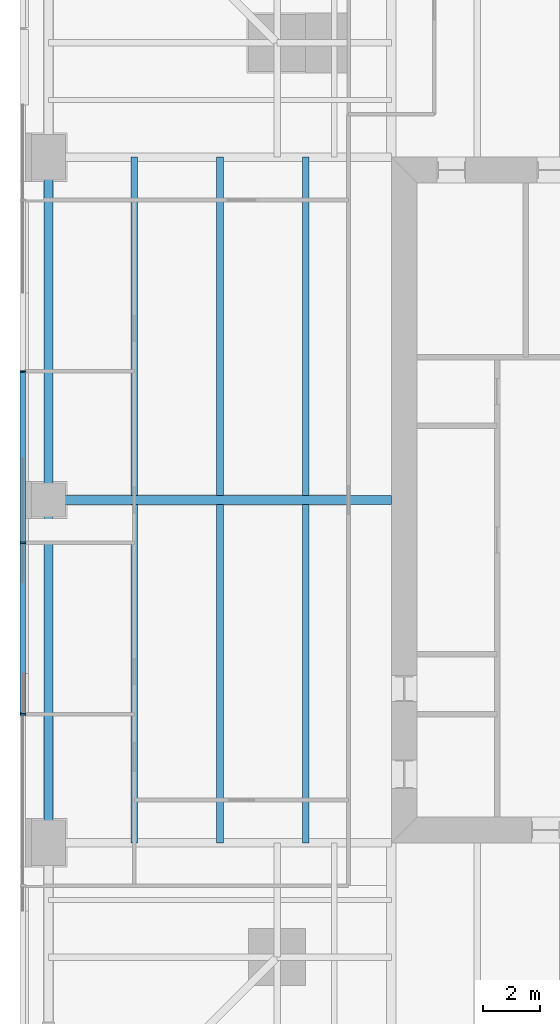
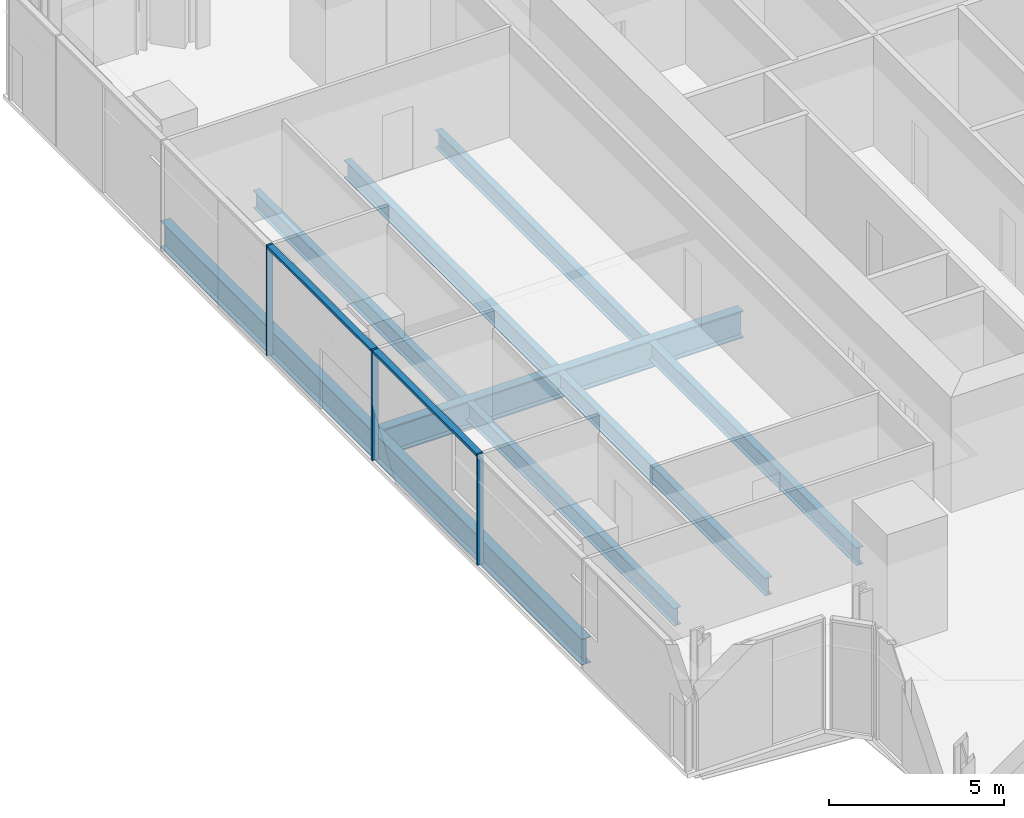
# One storey, part 4 of 16: 9 beams, 5 members, 1 element without a shape of its own.
"""IFC4 building model written with IfcOpenShell, lengths in metres."""

from ifc_helpers import new_model, si_unit, direction, frame, origin, origin_2d, place, context, subcontext, project, spatial, rectangle, i_section, extrude, material, material_profile, profile_set, type_object, element, aggregate, save


model = new_model("IFC4")

# Units and contexts
model_context = context("Model", 3, precision=1e-05, world=origin(), true_north=direction((0.0, 1.0)))
body_context = subcontext(model_context, "Body", "Model", "MODEL_VIEW")
ifc_project = project(units=[si_unit("LENGTHUNIT", "METRE"), si_unit("AREAUNIT", "SQUARE_METRE"), si_unit("VOLUMEUNIT", "CUBIC_METRE"), si_unit("PLANEANGLEUNIT", "RADIAN"), si_unit("MASSUNIT", "GRAM", prefix="KILO")], contexts=[model_context])

# Site, building, storey
site_placement = place(None, origin())
site = spatial("IfcSite", under=ifc_project, at=site_placement, CompositionType="ELEMENT")
building_placement = place(site_placement, origin())
building = spatial("IfcBuilding", under=site, at=building_placement, Name="Fenwick Lantern Interchange", CompositionType="ELEMENT")
storey_placement = place(building_placement, frame((0.0, 0.0, 177.800048828125)))
storey = spatial("IfcBuildingStorey", under=building, at=storey_placement, Name="L41", CompositionType="ELEMENT", Elevation=177.800048828125)

# Beams
ifc_material_1 = material(Name="Steel ASTM A992 Grade 50", Category="steel")
ifc_material_profile_1 = material_profile(ifc_material_1, i_section(OverallWidth=0.3046875, OverallDepth=0.911865234375, WebThickness=0.015869140625, FlangeThickness=0.02392578125, at=origin_2d()), Name="W36X150")
ifc_profile_set_1 = profile_set([ifc_material_profile_1], Name="Steel ASTM A992 Grade 50")
beam_type_1 = type_object("IfcBeamType", Name="EDGE BEAM W36X150", PredefinedType="SPANDREL", material=ifc_profile_set_1)
for number, where, z_axis, x_axis, name in (
    (1, (1.0, 37.0, -0.60595703125), (0.0, -1.0, 0.0), (1.0, 0.0, 0.0), "L41/FR/W/EB2"),
    (2, (1.0, 25.0, -0.60595703125), (0.0, -1.0, 0.0), (1.0, 0.0, 0.0), "L41/FR/W/EB3"),
):
    element("IfcBeam", number, at=place(storey_placement, frame(where, z_axis=z_axis, x_axis=x_axis)), inside=storey, type_object=beam_type_1, Name=name, PredefinedType="SPANDREL", context=body_context, shape_type="SweptSolid", body=[
        extrude(i_section(OverallWidth=0.3046875, OverallDepth=0.911865234375, WebThickness=0.015869140625, FlangeThickness=0.02392578125, at=origin_2d()), origin(), (0.0, 0.0, 1.0), 12.0),
    ])
ifc_material_profile_2 = material_profile(ifc_material_1, i_section(OverallWidth=0.22900390625, OverallDepth=0.612060546875, WebThickness=0.011962890625, FlangeThickness=0.01953125, at=origin_2d()), Name="W24X84")
ifc_profile_set_2 = profile_set([ifc_material_profile_2], Name="Steel ASTM A992 Grade 50")
beam_type_2 = type_object("IfcBeamType", Name="FLOOR BEAM W24X84", PredefinedType="BEAM", material=ifc_profile_set_2)
for number, where, z_axis, x_axis, name in (
    (3, (4.0, 37.0, -0.4560546875), (0.0, -1.0, 0.0), (1.0, 0.0, 0.0), "L41/FR/W/B01"),
    (4, (7.0, 37.0, -0.4560546875), (0.0, -1.0, 0.0), (1.0, 0.0, 0.0), "L41/FR/W/B02"),
    (5, (10.0, 37.0, -0.4560546875), (0.0, -1.0, 0.0), (1.0, 0.0, 0.0), "L41/FR/W/B03"),
    (6, (4.0, 24.844970703125, -0.4560546875), (0.0, -1.0, 0.0), (1.0, 0.0, 0.0), "L41/FR/W/B04"),
    (7, (7.0, 24.844970703125, -0.4560546875), (0.0, -1.0, 0.0), (1.0, 0.0, 0.0), "L41/FR/W/B05"),
    (8, (10.0, 24.844970703125, -0.4560546875), (0.0, -1.0, 0.0), (1.0, 0.0, 0.0), "L41/FR/W/B06"),
):
    element("IfcBeam", number, at=place(storey_placement, frame(where, z_axis=z_axis, x_axis=x_axis)), inside=storey, type_object=beam_type_2, Name=name, PredefinedType="BEAM", context=body_context, shape_type="SweptSolid", body=[
        extrude(i_section(OverallWidth=0.22900390625, OverallDepth=0.612060546875, WebThickness=0.011962890625, FlangeThickness=0.01953125, at=origin_2d()), origin(), (0.0, 0.0, 1.0), 11.844970703125),
    ])
ifc_material_profile_3 = material_profile(ifc_material_1, i_section(OverallWidth=0.309814453125, OverallDepth=0.949951171875, WebThickness=0.0244140625, FlangeThickness=0.0439453125, at=origin_2d()), Name="W36X256")
ifc_profile_set_3 = profile_set([ifc_material_profile_3], Name="Steel ASTM A992 Grade 50")
beam_type_3 = type_object("IfcBeamType", Name="MOMENT-CONNECTED GIRDER W36X256", PredefinedType="BEAM", material=ifc_profile_set_3)
beam_placement = place(storey_placement, frame((1.0, 25.0, -0.625), z_axis=(1.0, 0.0, 0.0), x_axis=(0.0, 1.0, 0.0)))
element("IfcBeam", 9, at=beam_placement, inside=storey, type_object=beam_type_3, Name="L41/FR/W/R02", PredefinedType="BEAM", context=body_context, shape_type="SweptSolid", body=[
    extrude(i_section(OverallWidth=0.309814453125, OverallDepth=0.949951171875, WebThickness=0.0244140625, FlangeThickness=0.0439453125, at=origin_2d()), origin(), (0.0, 0.0, 1.0), 12.0),
])

# Curtain wall, members
ifc_material_2 = material(Name="Aluminium curtain wall frame", Category="aluminium")
curtain_wall_type = type_object("IfcCurtainWallType", Name="OFFICE CURTAIN WALL", PredefinedType="USERDEFINED", material=ifc_material_2)
curtain_wall_placement = place(storey_placement, origin())
curtain_wall = element("IfcCurtainWall", 10, at=curtain_wall_placement, inside=storey, type_object=curtain_wall_type, Name="Office curtain wall 13", ObjectType="OFFICE CURTAIN WALL", PredefinedType="USERDEFINED")
ifc_material_3 = material(Name="Aluminium extrusion", Category="aluminium")
ifc_material_profile_4 = material_profile(ifc_material_3, rectangle(XDim=0.199951171875, YDim=0.06494140625, at=origin_2d()), Name="OFFICE CURTAIN WALL MULLION 65 X 200")
ifc_profile_set_4 = profile_set([ifc_material_profile_4], Name="Aluminium extrusion")
member_type_1 = type_object("IfcMemberType", Name="OFFICE CURTAIN WALL MULLION 65 X 200", PredefinedType="MULLION", material=ifc_profile_set_4)
member_1_placement = place(storey_placement, frame((0.10009765625, 29.5, 0.0), z_axis=(0.0, 0.0, 1.0), x_axis=(1.0, 0.0, 0.0)))
member_1 = element("IfcMember", 11, at=member_1_placement, type_object=member_type_1, Name="L41/CW/13/M03", PredefinedType="MULLION", context=body_context, shape_type="SweptSolid", body=[
    extrude(rectangle(XDim=0.199951171875, YDim=0.06494140625, at=origin_2d()), origin(), (0.0, 0.0, 1.0), 3.849853515625),
])
member_2_placement = place(storey_placement, frame((0.10009765625, 23.5, 0.0), z_axis=(0.0, 0.0, 1.0), x_axis=(1.0, 0.0, 0.0)))
member_2 = element("IfcMember", 12, at=member_2_placement, type_object=member_type_1, Name="L41/CW/13/M04", PredefinedType="MULLION", context=body_context, shape_type="SweptSolid", body=[
    extrude(rectangle(XDim=0.199951171875, YDim=0.06494140625, at=origin_2d()), origin(), (0.0, 0.0, 1.0), 3.849853515625),
])
member_3_placement = place(storey_placement, frame((0.10009765625, 17.5, 0.0), z_axis=(0.0, 0.0, 1.0), x_axis=(1.0, 0.0, 0.0)))
member_3 = element("IfcMember", 13, at=member_3_placement, type_object=member_type_1, Name="L41/CW/13/M05", PredefinedType="MULLION", context=body_context, shape_type="SweptSolid", body=[
    extrude(rectangle(XDim=0.199951171875, YDim=0.06494140625, at=origin_2d()), origin(), (0.0, 0.0, 1.0), 3.849853515625),
])
ifc_material_profile_5 = material_profile(ifc_material_3, rectangle(XDim=0.199951171875, YDim=0.10009765625, at=origin_2d()), Name="OFFICE CURTAIN WALL TRANSOM 100 X 200")
ifc_profile_set_5 = profile_set([ifc_material_profile_5], Name="Aluminium extrusion")
member_type_2 = type_object("IfcMemberType", Name="OFFICE CURTAIN WALL TRANSOM 100 X 200", PredefinedType="MULLION", material=ifc_profile_set_5)
member_4_placement = place(storey_placement, frame((0.10009765625, 29.467529296875, 3.800048828125), z_axis=(0.0, -1.0, 0.0), x_axis=(1.0, 0.0, 0.0)))
member_4 = element("IfcMember", 14, at=member_4_placement, type_object=member_type_2, Name="L41/CW/13/T03", PredefinedType="MULLION", context=body_context, shape_type="SweptSolid", body=[
    extrude(rectangle(XDim=0.199951171875, YDim=0.10009765625, at=origin_2d()), origin(), (0.0, 0.0, 1.0), 5.93505859375),
])
member_5_placement = place(storey_placement, frame((0.10009765625, 23.467529296875, 3.800048828125), z_axis=(0.0, -1.0, 0.0), x_axis=(1.0, 0.0, 0.0)))
member_5 = element("IfcMember", 15, at=member_5_placement, type_object=member_type_2, Name="L41/CW/13/T04", PredefinedType="MULLION", context=body_context, shape_type="SweptSolid", body=[
    extrude(rectangle(XDim=0.199951171875, YDim=0.10009765625, at=origin_2d()), origin(), (0.0, 0.0, 1.0), 5.93505859375),
])
aggregate(curtain_wall, [member_1, member_2, member_3, member_4, member_5])

save(model, "model.ifc")
